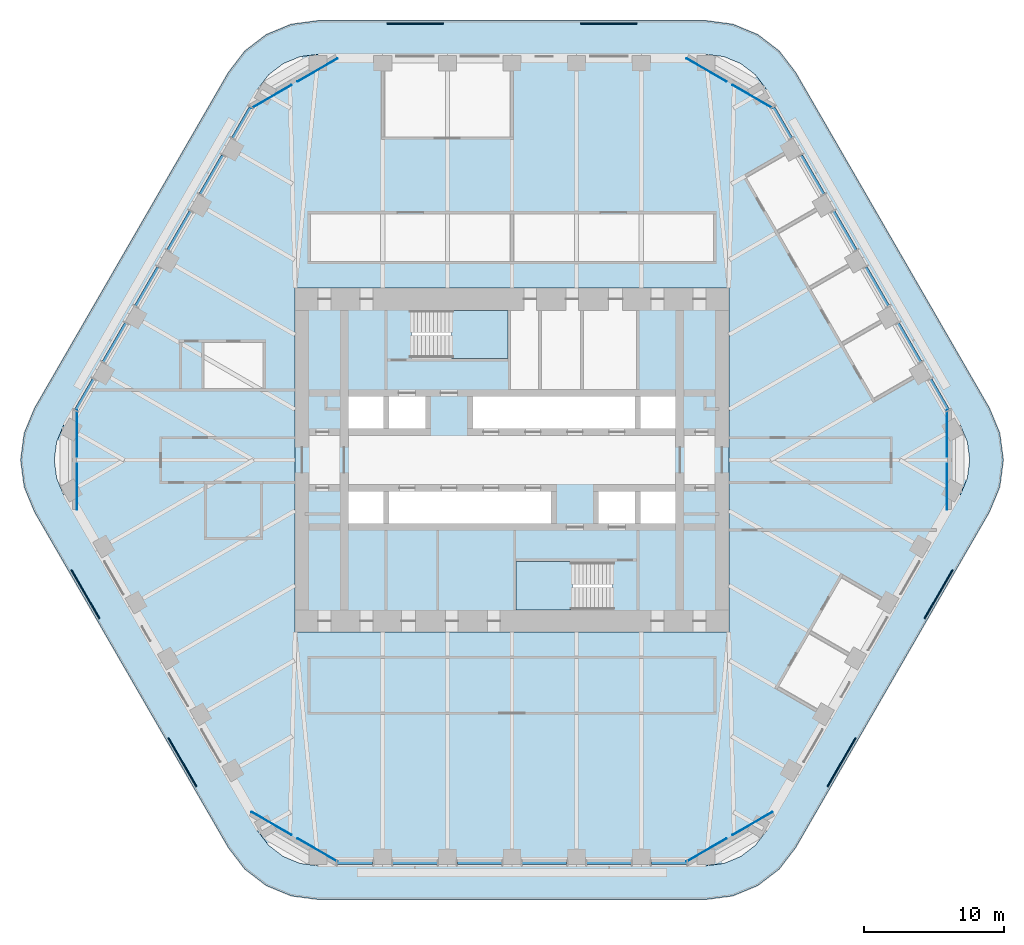
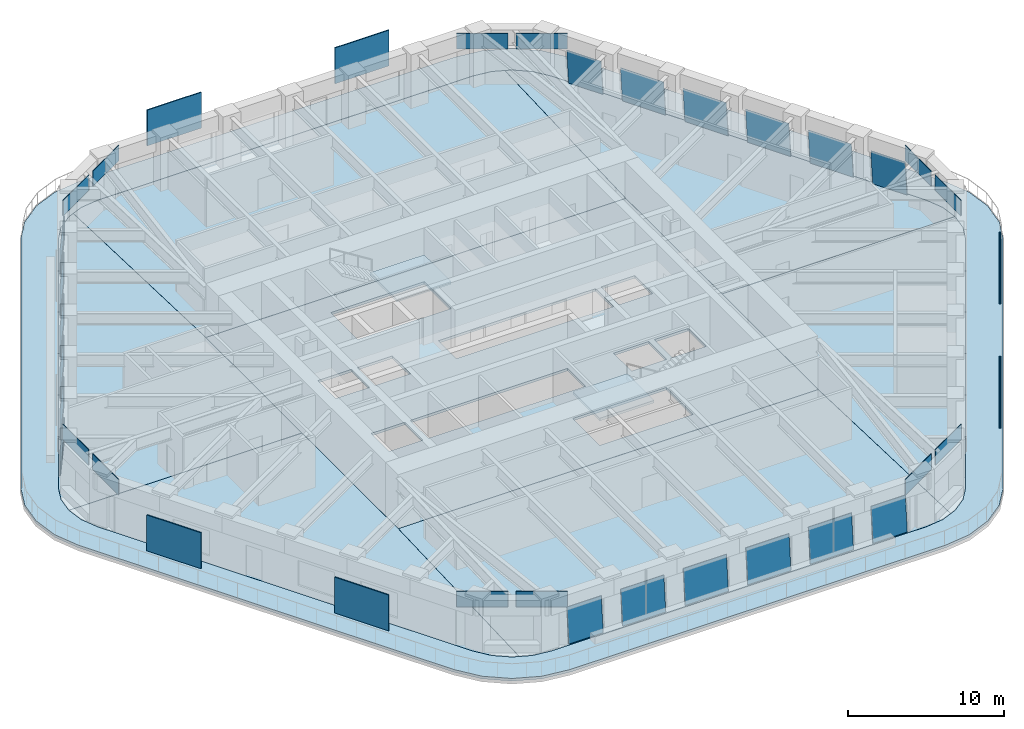
# One storey, part 13 of 20: 36 plates, 10 slabs, 20 elements without a shape of their own.
"""IFC4 building model written with IfcOpenShell, lengths in metres."""

from ifc_helpers import new_model, si_unit, direction, frame, origin, origin_2d, place, context, subcontext, project, spatial, polyline, rectangle, outline, extrude, material, layer, layer_set, type_object, element, aggregate, save


model = new_model("IFC4")

# Units and contexts
model_context = context("Model", 3, precision=1e-05, world=origin(), true_north=direction((0.0, 1.0)))
body_context = subcontext(model_context, "Body", "Model", "MODEL_VIEW")
ifc_project = project(units=[si_unit("LENGTHUNIT", "METRE"), si_unit("AREAUNIT", "SQUARE_METRE"), si_unit("VOLUMEUNIT", "CUBIC_METRE"), si_unit("PLANEANGLEUNIT", "RADIAN"), si_unit("MASSUNIT", "GRAM", prefix="KILO")], contexts=[model_context])

# Site, building, storey
site_placement = place(None, origin())
site = spatial("IfcSite", under=ifc_project, at=site_placement, CompositionType="ELEMENT")
building_placement = place(site_placement, origin())
building = spatial("IfcBuilding", under=site, at=building_placement, Name="Tarfa Lantern Tower", CompositionType="ELEMENT")
storey_placement = place(building_placement, frame((0.0, 0.0, 240.699951171875)))
storey = spatial("IfcBuildingStorey", under=building, at=storey_placement, Name="L54", CompositionType="ELEMENT", Elevation=240.699951171875)

# Slab
ifc_material_1 = material(Name="Concrete C40/50", Category="concrete")
ifc_layer_1 = layer(ifc_material_1, 0.199951171875)
ifc_layer_set_1 = layer_set([ifc_layer_1], Name="BS2 BALCONY SLAB 200")
slab_type_1 = type_object("IfcSlabType", Name="BS2 BALCONY SLAB 200", PredefinedType="FLOOR", material=ifc_layer_set_1)
slab_1_placement = place(storey_placement, frame((0.0, 0.0, -0.199951171875)))
element("IfcSlab", 1, at=slab_1_placement, inside=storey, type_object=slab_type_1, Name="Balcony L54", PredefinedType="FLOOR", context=body_context, shape_type="SweptSolid", body=[
    extrude(outline(polyline([(34.121337890625, 3.699951171875), (20.264892578125, 27.699951171875), (19.089111328125, 29.232666015625), (17.556396484375, 30.40869140625), (15.771728515625, 31.14794921875), (13.8564453125, 31.39990234375), (-13.8564453125, 31.39990234375), (-15.771728515625, 31.14794921875), (-17.556396484375, 30.40869140625), (-19.089111328125, 29.232666015625), (-20.264892578125, 27.699951171875), (-34.121337890625, 3.699951171875), (-34.860595703125, 1.915283203125), (-35.11279296875, 0.0), (-34.860595703125, -1.915283203125), (-34.121337890625, -3.699951171875), (-20.264892578125, -27.699951171875), (-19.089111328125, -29.232666015625), (-17.556396484375, -30.40869140625), (-15.771728515625, -31.14794921875), (-13.8564453125, -31.39990234375), (13.8564453125, -31.39990234375), (15.771728515625, -31.14794921875), (17.556396484375, -30.40869140625), (19.089111328125, -29.232666015625), (20.264892578125, -27.699951171875), (34.121337890625, -3.699951171875), (34.860595703125, -1.915283203125), (35.11279296875, 0.0), (34.860595703125, 1.915283203125), (34.121337890625, 3.699951171875)]), holes=[polyline([(32.04296875, 2.5), (18.1865234375, 26.5), (17.391845703125, 27.53564453125), (16.3564453125, 28.330078125), (15.150390625, 28.82958984375), (13.8564453125, 29.0), (-13.8564453125, 29.0), (-15.150390625, 28.82958984375), (-16.3564453125, 28.330078125), (-17.391845703125, 27.53564453125), (-18.1865234375, 26.5), (-32.04296875, 2.5), (-32.54248046875, 1.294189453125), (-32.712890625, 0.0), (-32.54248046875, -1.294189453125), (-32.04296875, -2.5), (-18.1865234375, -26.5), (-17.391845703125, -27.53564453125), (-16.3564453125, -28.330078125), (-15.150390625, -28.82958984375), (-13.8564453125, -29.0), (13.8564453125, -29.0), (15.150390625, -28.82958984375), (16.3564453125, -28.330078125), (17.391845703125, -27.53564453125), (18.1865234375, -26.5), (32.04296875, -2.5), (32.54248046875, -1.294189453125), (32.712890625, 0.0), (32.54248046875, 1.294189453125), (32.04296875, 2.5)])]), origin(), (0.0, 0.0, 1.0), 0.199951171875),
])

# Curtain wall, plate
ifc_material_2 = material(Name="Aluminium framed curtain wall", Category="aluminium")
curtain_wall_type = type_object("IfcCurtainWallType", Name="CW3 CANTED GLAZING HIGH ZONE 2800", PredefinedType="USERDEFINED", material=ifc_material_2)
curtain_wall_1_placement = place(storey_placement, origin())
curtain_wall_1 = element("IfcCurtainWall", 2, at=curtain_wall_1_placement, inside=storey, type_object=curtain_wall_type, Name="CW3 NE L54", ObjectType="CURTAIN WALL", PredefinedType="USERDEFINED")
ifc_material_3 = material(Name="Laminated double glazing", Category="glass")
ifc_layer_2 = layer(ifc_material_3, 0.028076171875)
ifc_layer_set_2 = layer_set([ifc_layer_2], Name="CWP1 DOUBLE GLAZED PANEL")
plate_type_1 = type_object("IfcPlateType", Name="CWP1 DOUBLE GLAZED PANEL", PredefinedType="CURTAIN_PANEL", material=ifc_layer_set_2)
plate_1_placement = place(storey_placement, frame((31.27392578125, 3.632080078125, 0.0), z_axis=(0.862597812181, 0.498009918325, 0.088944565154), x_axis=(-0.499991881386, 0.86603009101, 3.688828e-06)))
plate_1 = element("IfcPlate", 3, at=plate_1_placement, type_object=plate_type_1, Name="CW3 panel 1.1", PredefinedType="CURTAIN_PANEL", context=body_context, shape_type="SweptSolid", body=[
    extrude(outline(polyline([(0.0, 0.0), (2.5389220661234515, 0.0), (2.5389267657622057, 2.7459815404071932), (0.0001267679691709482, 2.7460003457862903), (0.0, 0.0)])), origin(), (0.0, 0.0, -1.0), 0.028076171875),
])
aggregate(curtain_wall_1, [plate_1])

curtain_wall_2_placement = place(storey_placement, origin())
curtain_wall_2 = element("IfcCurtainWall", 4, at=curtain_wall_2_placement, inside=storey, type_object=curtain_wall_type, Name="CW3 NE L54", ObjectType="CURTAIN WALL", PredefinedType="USERDEFINED")
plate_2_placement = place(storey_placement, frame((29.28955078125, 7.069091796875, 0.0), z_axis=(0.862609034743, 0.49799047926, 0.088944565584), x_axis=(-0.499972306845, 0.86604139184, 2.936936e-06)))
plate_2 = element("IfcPlate", 5, at=plate_2_placement, type_object=plate_type_1, Name="CW3 panel 1.1", PredefinedType="CURTAIN_PANEL", context=body_context, shape_type="SweptSolid", body=[
    extrude(outline(polyline([(0.0, 0.0), (3.188959804808154, 0.0), (3.188956929880909, 2.745981540409657), (0.00011918862423093281, 2.746000346125675), (0.0, 0.0)])), origin(), (0.0, 0.0, -1.0), 0.028076171875),
])
aggregate(curtain_wall_2, [plate_2])

curtain_wall_3_placement = place(storey_placement, origin())
curtain_wall_3 = element("IfcCurtainWall", 6, at=curtain_wall_3_placement, inside=storey, type_object=curtain_wall_type, Name="CW3 NE L54", ObjectType="CURTAIN WALL", PredefinedType="USERDEFINED")
plate_3_placement = place(storey_placement, frame((26.97998046875, 11.069091796875, 0.0), z_axis=(0.862609034743, 0.49799047926, 0.088944565584), x_axis=(-0.499971852573, 0.866041654094, -2.937048e-06)))
plate_3 = element("IfcPlate", 7, at=plate_3_placement, type_object=plate_type_1, Name="CW3 panel 1.1", PredefinedType="CURTAIN_PANEL", context=body_context, shape_type="SweptSolid", body=[
    extrude(outline(polyline([(0.0, 0.0), (3.1888377413121303, 0.0), (3.188940735790754, 2.746000346780822), (-1.9068961945883972e-05, 2.745981540344952), (0.0, 0.0)])), origin(), (0.0, 0.0, -1.0), 0.028076171875),
])
aggregate(curtain_wall_3, [plate_3])

curtain_wall_4_placement = place(storey_placement, origin())
curtain_wall_4 = element("IfcCurtainWall", 8, at=curtain_wall_4_placement, inside=storey, type_object=curtain_wall_type, Name="CW3 NE L54", ObjectType="CURTAIN WALL", PredefinedType="USERDEFINED")
plate_4_placement = place(storey_placement, frame((24.670654296875, 15.069091796875, 0.0), z_axis=(0.862595478395, 0.498020780534, 0.088906371022), x_axis=(-0.500000789788, 0.8660249478, 0.0)))
plate_4 = element("IfcPlate", 9, at=plate_4_placement, type_object=plate_type_1, Name="CW3 panel 1.1", PredefinedType="CURTAIN_PANEL", context=body_context, shape_type="SweptSolid", body=[
    extrude(outline(polyline([(0.0, 0.0), (3.1889598065466314, 2.7755575615628914e-17), (3.1889569281424333, 2.74598154242858), (-2.8784041983250337e-06, 2.74598154242858), (0.0, 0.0)])), origin(), (0.0, 0.0, -1.0), 0.028076171875),
])
aggregate(curtain_wall_4, [plate_4])

curtain_wall_5_placement = place(storey_placement, origin())
curtain_wall_5 = element("IfcCurtainWall", 10, at=curtain_wall_5_placement, inside=storey, type_object=curtain_wall_type, Name="CW3 NE L54", ObjectType="CURTAIN WALL", PredefinedType="USERDEFINED")
plate_5_placement = place(storey_placement, frame((22.361328125, 19.069091796875, 0.0), z_axis=(0.862609034743, 0.49799047926, 0.088944565584), x_axis=(-0.499972306845, 0.86604139184, 2.936936e-06)))
plate_5 = element("IfcPlate", 11, at=plate_5_placement, type_object=plate_type_1, Name="CW3 panel 1.1", PredefinedType="CURTAIN_PANEL", context=body_context, shape_type="SweptSolid", body=[
    extrude(outline(polyline([(0.0, 0.0), (3.188959804808154, 0.0), (3.188956929880909, 2.745981540409657), (0.00011918862423093281, 2.746000346125675), (0.0, 0.0)])), origin(), (0.0, 0.0, -1.0), 0.028076171875),
])
aggregate(curtain_wall_5, [plate_5])

curtain_wall_6_placement = place(storey_placement, origin())
curtain_wall_6 = element("IfcCurtainWall", 12, at=curtain_wall_6_placement, inside=storey, type_object=curtain_wall_type, Name="CW3 NE L54", ObjectType="CURTAIN WALL", PredefinedType="USERDEFINED")
plate_6_placement = place(storey_placement, frame((20.0517578125, 23.069091796875, 0.0), z_axis=(0.862621501949, 0.497975703823, 0.088906370847), x_axis=(-0.499955533855, 0.866051074803, 0.0)))
plate_6 = element("IfcPlate", 13, at=plate_6_placement, type_object=plate_type_1, Name="CW3 panel 1.1", PredefinedType="CURTAIN_PANEL", context=body_context, shape_type="SweptSolid", body=[
    extrude(outline(polyline([(0.0, 0.0), (2.538800000046309, -1.3877787807814457e-17), (2.538784364039763, 2.745981542385572), (-1.5636006546276837e-05, 2.745981542385572), (0.0, 0.0)])), origin(), (0.0, 0.0, -1.0), 0.028076171875),
])
aggregate(curtain_wall_6, [plate_6])

curtain_wall_7_placement = place(storey_placement, origin())
curtain_wall_7 = element("IfcCurtainWall", 14, at=curtain_wall_7_placement, inside=storey, type_object=curtain_wall_type, Name="CW3 NW L54", ObjectType="CURTAIN WALL", PredefinedType="USERDEFINED")
plate_7_placement = place(storey_placement, frame((-18.782470703125, 25.267822265625, 0.0), z_axis=(-0.862621501949, 0.497975703823, 0.088906370847), x_axis=(-0.499955533855, -0.866051074803, 0.0)))
plate_7 = element("IfcPlate", 15, at=plate_7_placement, type_object=plate_type_1, Name="CW3 panel 1.1", PredefinedType="CURTAIN_PANEL", context=body_context, shape_type="SweptSolid", body=[
    extrude(outline(polyline([(0.0, 0.0), (2.538800000046309, 1.3877787807814457e-17), (2.5388156360528553, 2.745981542385572), (1.5636006546276837e-05, 2.745981542385572), (0.0, 0.0)])), origin(), (0.0, 0.0, -1.0), 0.028076171875),
])
aggregate(curtain_wall_7, [plate_7])

curtain_wall_8_placement = place(storey_placement, origin())
curtain_wall_8 = element("IfcCurtainWall", 16, at=curtain_wall_8_placement, inside=storey, type_object=curtain_wall_type, Name="CW3 NW L54", ObjectType="CURTAIN WALL", PredefinedType="USERDEFINED")
plate_8_placement = place(storey_placement, frame((-20.766845703125, 21.830810546875, 0.0), z_axis=(-0.862609034743, 0.49799047926, 0.088944565584), x_axis=(-0.499972306845, -0.86604139184, -2.936936e-06)))
plate_8 = element("IfcPlate", 17, at=plate_8_placement, type_object=plate_type_1, Name="CW3 panel 1.1", PredefinedType="CURTAIN_PANEL", context=body_context, shape_type="SweptSolid", body=[
    extrude(outline(polyline([(0.0, 0.0), (3.188959804808154, 0.0), (3.1888406161839233, 2.746000346125675), (2.874927244868359e-06, 2.745981540409657), (0.0, 0.0)])), origin(), (0.0, 0.0, -1.0), 0.028076171875),
])
aggregate(curtain_wall_8, [plate_8])

curtain_wall_9_placement = place(storey_placement, origin())
curtain_wall_9 = element("IfcCurtainWall", 18, at=curtain_wall_9_placement, inside=storey, type_object=curtain_wall_type, Name="CW3 NW L54", ObjectType="CURTAIN WALL", PredefinedType="USERDEFINED")
plate_9_placement = place(storey_placement, frame((-23.076171875, 17.830810546875, 0.0), z_axis=(-0.862595478395, 0.498020780534, 0.088906371022), x_axis=(-0.500000789788, -0.8660249478, 0.0)))
plate_9 = element("IfcPlate", 19, at=plate_9_placement, type_object=plate_type_1, Name="CW3 panel 1.1", PredefinedType="CURTAIN_PANEL", context=body_context, shape_type="SweptSolid", body=[
    extrude(outline(polyline([(0.0, 0.0), (3.1889598065466314, -2.7755575615628914e-17), (3.1889626849508295, 2.74598154242858), (2.8784041983250337e-06, 2.74598154242858), (0.0, 0.0)])), origin(), (0.0, 0.0, -1.0), 0.028076171875),
])
aggregate(curtain_wall_9, [plate_9])

curtain_wall_10_placement = place(storey_placement, origin())
curtain_wall_10 = element("IfcCurtainWall", 20, at=curtain_wall_10_placement, inside=storey, type_object=curtain_wall_type, Name="CW3 NW L54", ObjectType="CURTAIN WALL", PredefinedType="USERDEFINED")
plate_10_placement = place(storey_placement, frame((-25.3857421875, 13.830810546875, 0.0), z_axis=(-0.862609034743, 0.49799047926, 0.088944565584), x_axis=(-0.499971852573, -0.866041654094, 2.937048e-06)))
plate_10 = element("IfcPlate", 21, at=plate_10_placement, type_object=plate_type_1, Name="CW3 panel 1.1", PredefinedType="CURTAIN_PANEL", context=body_context, shape_type="SweptSolid", body=[
    extrude(outline(polyline([(0.0, 0.0), (3.1888377413121303, 0.0), (3.1888568102740757, 2.745981540344952), (-0.00010299447862375795, 2.746000346780822), (0.0, 0.0)])), origin(), (0.0, 0.0, -1.0), 0.028076171875),
])
aggregate(curtain_wall_10, [plate_10])

curtain_wall_11_placement = place(storey_placement, origin())
curtain_wall_11 = element("IfcCurtainWall", 22, at=curtain_wall_11_placement, inside=storey, type_object=curtain_wall_type, Name="CW3 NW L54", ObjectType="CURTAIN WALL", PredefinedType="USERDEFINED")
plate_11_placement = place(storey_placement, frame((-27.695068359375, 9.830810546875, 0.0), z_axis=(-0.862609034743, 0.49799047926, 0.088944565584), x_axis=(-0.499972306845, -0.86604139184, -2.936936e-06)))
plate_11 = element("IfcPlate", 23, at=plate_11_placement, type_object=plate_type_1, Name="CW3 panel 1.1", PredefinedType="CURTAIN_PANEL", context=body_context, shape_type="SweptSolid", body=[
    extrude(outline(polyline([(0.0, 0.0), (3.188959804808154, 0.0), (3.1888406161839233, 2.746000346125675), (2.874927244868359e-06, 2.745981540409657), (0.0, 0.0)])), origin(), (0.0, 0.0, -1.0), 0.028076171875),
])
aggregate(curtain_wall_11, [plate_11])

curtain_wall_12_placement = place(storey_placement, origin())
curtain_wall_12 = element("IfcCurtainWall", 24, at=curtain_wall_12_placement, inside=storey, type_object=curtain_wall_type, Name="CW3 NW L54", ObjectType="CURTAIN WALL", PredefinedType="USERDEFINED")
plate_12_placement = place(storey_placement, frame((-30.00439453125, 5.830810546875, 0.0), z_axis=(-0.862597812181, 0.498009918325, 0.088944565154), x_axis=(-0.499991881386, -0.86603009101, -3.688828e-06)))
plate_12 = element("IfcPlate", 25, at=plate_12_placement, type_object=plate_type_1, Name="CW3 panel 1.1", PredefinedType="CURTAIN_PANEL", context=body_context, shape_type="SweptSolid", body=[
    extrude(outline(polyline([(0.0, 0.0), (2.5389220661234515, 0.0), (2.538795298154281, 2.7460003457862903), (-4.6996387543900236e-06, 2.7459815404071932), (0.0, 0.0)])), origin(), (0.0, 0.0, -1.0), 0.028076171875),
])
aggregate(curtain_wall_12, [plate_12])

curtain_wall_13_placement = place(storey_placement, origin())
curtain_wall_13 = element("IfcCurtainWall", 26, at=curtain_wall_13_placement, inside=storey, type_object=curtain_wall_type, Name="CW3 S L54", ObjectType="CURTAIN WALL", PredefinedType="USERDEFINED")
plate_13_placement = place(storey_placement, frame((-12.491455078125, -28.89990234375, 0.0), z_axis=(0.0, -0.996039814532, 0.088908311571), x_axis=(1.0, 0.0, 0.0)))
plate_13 = element("IfcPlate", 27, at=plate_13_placement, type_object=plate_type_1, Name="CW3 panel 1.1", PredefinedType="CURTAIN_PANEL", context=body_context, shape_type="SweptSolid", body=[
    extrude(outline(polyline([(0.0, 0.0), (2.538818359375, 0.0), (2.538818359375, 2.745982019965007), (0.0, 2.745982019965007), (0.0, 0.0)])), origin(), (0.0, 0.0, -1.0), 0.028076171875),
])
aggregate(curtain_wall_13, [plate_13])

curtain_wall_14_placement = place(storey_placement, origin())
curtain_wall_14 = element("IfcCurtainWall", 28, at=curtain_wall_14_placement, inside=storey, type_object=curtain_wall_type, Name="CW3 S L54", ObjectType="CURTAIN WALL", PredefinedType="USERDEFINED")
plate_14_placement = place(storey_placement, frame((-8.522705078125, -28.89990234375, 0.0), z_axis=(0.0, -0.996039814532, 0.088908311571), x_axis=(1.0, 0.0, 0.0)))
plate_14 = element("IfcPlate", 29, at=plate_14_placement, type_object=plate_type_1, Name="CW3 panel 1.1", PredefinedType="CURTAIN_PANEL", context=body_context, shape_type="SweptSolid", body=[
    extrude(outline(polyline([(0.0, 0.0), (3.18896484375, 0.0), (3.18896484375, 2.745982019965007), (0.0, 2.745982019965007), (0.0, 0.0)])), origin(), (0.0, 0.0, -1.0), 0.028076171875),
])
aggregate(curtain_wall_14, [plate_14])

curtain_wall_15_placement = place(storey_placement, origin())
curtain_wall_15 = element("IfcCurtainWall", 30, at=curtain_wall_15_placement, inside=storey, type_object=curtain_wall_type, Name="CW3 S L54", ObjectType="CURTAIN WALL", PredefinedType="USERDEFINED")
plate_15_placement = place(storey_placement, frame((-3.90380859375, -28.89990234375, 0.0), z_axis=(0.0, -0.996039814532, 0.088908311571), x_axis=(1.0, 0.0, 0.0)))
plate_15 = element("IfcPlate", 31, at=plate_15_placement, type_object=plate_type_1, Name="CW3 panel 1.1", PredefinedType="CURTAIN_PANEL", context=body_context, shape_type="SweptSolid", body=[
    extrude(outline(polyline([(0.0, 0.0), (3.188720703125, 0.0), (3.188720703125, 2.745982019965007), (0.0, 2.745982019965007), (0.0, 0.0)])), origin(), (0.0, 0.0, -1.0), 0.028076171875),
])
aggregate(curtain_wall_15, [plate_15])

curtain_wall_16_placement = place(storey_placement, origin())
curtain_wall_16 = element("IfcCurtainWall", 32, at=curtain_wall_16_placement, inside=storey, type_object=curtain_wall_type, Name="CW3 S L54", ObjectType="CURTAIN WALL", PredefinedType="USERDEFINED")
plate_16_placement = place(storey_placement, frame((0.715087890625, -28.89990234375, 0.0), z_axis=(0.0, -0.996039814532, 0.088908311571), x_axis=(1.0, 0.0, 0.0)))
plate_16 = element("IfcPlate", 33, at=plate_16_placement, type_object=plate_type_1, Name="CW3 panel 1.1", PredefinedType="CURTAIN_PANEL", context=body_context, shape_type="SweptSolid", body=[
    extrude(outline(polyline([(0.0, 0.0), (3.188720703125, 0.0), (3.188720703125, 2.745982019965007), (0.0, 2.745982019965007), (0.0, 0.0)])), origin(), (0.0, 0.0, -1.0), 0.028076171875),
])
aggregate(curtain_wall_16, [plate_16])

curtain_wall_17_placement = place(storey_placement, origin())
curtain_wall_17 = element("IfcCurtainWall", 34, at=curtain_wall_17_placement, inside=storey, type_object=curtain_wall_type, Name="CW3 S L54", ObjectType="CURTAIN WALL", PredefinedType="USERDEFINED")
plate_17_placement = place(storey_placement, frame((5.333740234375, -28.89990234375, 0.0), z_axis=(0.0, -0.996039814532, 0.088908311571), x_axis=(1.0, 0.0, 0.0)))
plate_17 = element("IfcPlate", 35, at=plate_17_placement, type_object=plate_type_1, Name="CW3 panel 1.1", PredefinedType="CURTAIN_PANEL", context=body_context, shape_type="SweptSolid", body=[
    extrude(outline(polyline([(0.0, 0.0), (3.18896484375, 0.0), (3.18896484375, 2.745982019965007), (0.0, 2.745982019965007), (0.0, 0.0)])), origin(), (0.0, 0.0, -1.0), 0.028076171875),
])
aggregate(curtain_wall_17, [plate_17])

curtain_wall_18_placement = place(storey_placement, origin())
curtain_wall_18 = element("IfcCurtainWall", 36, at=curtain_wall_18_placement, inside=storey, type_object=curtain_wall_type, Name="CW3 S L54", ObjectType="CURTAIN WALL", PredefinedType="USERDEFINED")
plate_18_placement = place(storey_placement, frame((9.95263671875, -28.89990234375, 0.0), z_axis=(0.0, -0.996039814532, 0.088908311571), x_axis=(1.0, 0.0, 0.0)))
plate_18 = element("IfcPlate", 37, at=plate_18_placement, type_object=plate_type_1, Name="CW3 panel 1.1", PredefinedType="CURTAIN_PANEL", context=body_context, shape_type="SweptSolid", body=[
    extrude(outline(polyline([(0.0, 0.0), (2.538818359375, 0.0), (2.538818359375, 2.745982019965007), (0.0, 2.745982019965007), (0.0, 0.0)])), origin(), (0.0, 0.0, -1.0), 0.028076171875),
])
aggregate(curtain_wall_18, [plate_18])

# Slabs
ifc_layer_3 = layer(ifc_material_1, 0.199951171875)
ifc_layer_set_3 = layer_set([ifc_layer_3], Name="FS1 FLOOR SLAB 200")
slab_type_2 = type_object("IfcSlabType", Name="FS1 FLOOR SLAB 200", PredefinedType="FLOOR", material=ifc_layer_set_3)
slab_2_placement = place(storey_placement, frame((0.0, 0.0, -0.199951171875)))
element("IfcSlab", 38, at=slab_2_placement, inside=storey, type_object=slab_type_2, Name="Floor slab L54", PredefinedType="FLOOR", context=body_context, shape_type="SweptSolid", body=[
    extrude(outline(polyline([(-15.5, -12.300048828125), (15.5, -12.300048828125), (15.5, 12.300048828125), (-15.5, 12.300048828125), (-15.5, -12.300048828125)]), holes=[polyline([(-11.699951171875, 2.25), (-9.199951171875, 2.25), (-9.199951171875, 4.550048828125), (-11.699951171875, 4.550048828125), (-11.699951171875, 2.25)]), polyline([(-8.800048828125, 2.25), (-6.199951171875, 2.25), (-6.199951171875, 4.550048828125), (-8.800048828125, 4.550048828125), (-8.800048828125, 2.25)]), polyline([(-2.800048828125, 2.25), (8.800048828125, 2.25), (8.800048828125, 4.550048828125), (-2.800048828125, 4.550048828125), (-2.800048828125, 2.25)]), polyline([(9.199951171875, 2.25), (11.699951171875, 2.25), (11.699951171875, 4.550048828125), (9.199951171875, 4.550048828125), (9.199951171875, 2.25)]), polyline([(11.699951171875, -2.25), (9.199951171875, -2.25), (9.199951171875, -4.550048828125), (11.699951171875, -4.550048828125), (11.699951171875, -2.25)]), polyline([(8.800048828125, -2.25), (6.199951171875, -2.25), (6.199951171875, -4.550048828125), (8.800048828125, -4.550048828125), (8.800048828125, -2.25)]), polyline([(2.800048828125, -2.25), (-8.800048828125, -2.25), (-8.800048828125, -4.550048828125), (2.800048828125, -4.550048828125), (2.800048828125, -2.25)]), polyline([(-9.199951171875, -2.25), (-11.699951171875, -2.25), (-11.699951171875, -4.550048828125), (-9.199951171875, -4.550048828125), (-9.199951171875, -2.25)]), polyline([(-7.199951171875, 7.25), (-0.300048828125, 7.25), (-0.300048828125, 10.699951171875), (-7.199951171875, 10.699951171875), (-7.199951171875, 7.25)]), polyline([(7.199951171875, -7.25), (0.300048828125, -7.25), (0.300048828125, -10.699951171875), (7.199951171875, -10.699951171875), (7.199951171875, -7.25)])]), origin(), (0.0, 0.0, 1.0), 0.199951171875),
])
slab_3_placement = place(storey_placement, frame((0.0, 0.0, -0.199951171875)))
element("IfcSlab", 39, at=slab_3_placement, inside=storey, type_object=slab_type_2, Name="Floor slab L54 NE bay", PredefinedType="FLOOR", context=body_context, shape_type="SweptSolid", body=[
    extrude(outline(polyline([(32.041259765625, 2.4990234375), (18.184814453125, 26.498779296875), (17.390625, 27.5341796875), (16.35546875, 28.328369140625), (15.927490234375, 28.505615234375), (15.501953125, 12.300048828125), (15.501953125, 0.001953125), (32.71044921875, 0.001953125), (32.54052734375, 1.29345703125), (32.041259765625, 2.4990234375)])), origin(), (0.0, 0.0, 1.0), 0.199951171875),
])
slab_4_placement = place(storey_placement, frame((0.0, 0.0, -0.199951171875)))
element("IfcSlab", 40, at=slab_4_placement, inside=storey, type_object=slab_type_2, Name="Floor slab L54 N bay", PredefinedType="FLOOR", context=body_context, shape_type="SweptSolid", body=[
    extrude(outline(polyline([(-15.498046875, 12.302001953125), (15.498046875, 12.302001953125), (15.923583984375, 28.50732421875), (15.14990234375, 28.82763671875), (13.856201171875, 28.998046875), (-13.856201171875, 28.998046875), (-15.14990234375, 28.82763671875), (-15.923583984375, 28.50732421875), (-15.498046875, 12.302001953125)])), origin(), (0.0, 0.0, 1.0), 0.199951171875),
])
slab_5_placement = place(storey_placement, frame((0.0, 0.0, -0.199951171875)))
element("IfcSlab", 41, at=slab_5_placement, inside=storey, type_object=slab_type_2, Name="Floor slab L54 NW bay", PredefinedType="FLOOR", context=body_context, shape_type="SweptSolid", body=[
    extrude(outline(polyline([(-15.501953125, 0.001953125), (-15.501953125, 12.300048828125), (-15.927490234375, 28.505615234375), (-16.35546875, 28.328369140625), (-17.390625, 27.5341796875), (-18.184814453125, 26.498779296875), (-32.041259765625, 2.4990234375), (-32.54052734375, 1.29345703125), (-32.71044921875, 0.001953125), (-15.501953125, 0.001953125)])), origin(), (0.0, 0.0, 1.0), 0.199951171875),
])
slab_6_placement = place(storey_placement, frame((0.0, 0.0, -0.199951171875)))
element("IfcSlab", 42, at=slab_6_placement, inside=storey, type_object=slab_type_2, Name="Floor slab L54 SW bay", PredefinedType="FLOOR", context=body_context, shape_type="SweptSolid", body=[
    extrude(outline(polyline([(-15.501953125, -12.300048828125), (-15.501953125, -0.001953125), (-32.71044921875, -0.001953125), (-32.54052734375, -1.29345703125), (-32.041259765625, -2.4990234375), (-18.184814453125, -26.498779296875), (-17.390625, -27.5341796875), (-16.35546875, -28.328369140625), (-15.927490234375, -28.505615234375), (-15.501953125, -12.300048828125)])), origin(), (0.0, 0.0, 1.0), 0.199951171875),
])
slab_7_placement = place(storey_placement, frame((0.0, 0.0, -0.199951171875)))
element("IfcSlab", 43, at=slab_7_placement, inside=storey, type_object=slab_type_2, Name="Floor slab L54 S bay", PredefinedType="FLOOR", context=body_context, shape_type="SweptSolid", body=[
    extrude(outline(polyline([(15.498046875, -12.302001953125), (-15.498046875, -12.302001953125), (-15.923583984375, -28.50732421875), (-15.14990234375, -28.82763671875), (-13.856201171875, -28.998046875), (13.856201171875, -28.998046875), (15.14990234375, -28.82763671875), (15.923583984375, -28.50732421875), (15.498046875, -12.302001953125)])), origin(), (0.0, 0.0, 1.0), 0.199951171875),
])
slab_8_placement = place(storey_placement, frame((0.0, 0.0, -0.199951171875)))
element("IfcSlab", 44, at=slab_8_placement, inside=storey, type_object=slab_type_2, Name="Floor slab L54 SE bay", PredefinedType="FLOOR", context=body_context, shape_type="SweptSolid", body=[
    extrude(outline(polyline([(15.501953125, -0.001953125), (15.501953125, -12.300048828125), (15.927490234375, -28.505615234375), (16.35546875, -28.328369140625), (17.390625, -27.5341796875), (18.184814453125, -26.498779296875), (32.041259765625, -2.4990234375), (32.54052734375, -1.29345703125), (32.71044921875, -0.001953125), (15.501953125, -0.001953125)])), origin(), (0.0, 0.0, 1.0), 0.199951171875),
])

# Plates
ifc_material_4 = material(Name="Aluminium fascia panel", Category="aluminium")
ifc_layer_4 = layer(ifc_material_4, 0.050048828125)
ifc_layer_set_4 = layer_set([ifc_layer_4], Name="LF1 LOGGIA HEAD FASCIA 50")
plate_type_2 = type_object("IfcPlateType", Name="LF1 LOGGIA HEAD FASCIA 50", PredefinedType="USERDEFINED", material=ifc_layer_set_4)
for number, where, z_axis, x_axis, name in (
    (45, (17.18994140625, 25.972900390625, 2.80029296875), (0.0, 0.0, 1.0), (-0.866025403784, 0.5, 0.0), "Garden head fascia NE-N"),
    (46, (13.898193359375, 27.873291015625, 2.80029296875), (0.0, 0.0, 1.0), (-0.866025403784, 0.5, 0.0), "Garden head fascia NE-N"),
    (47, (-13.898193359375, 27.873291015625, 2.80029296875), (0.0, 0.0, 1.0), (-0.866025403784, -0.5, 0.0), "Garden head fascia N-NW"),
    (48, (-17.18994140625, 25.972900390625, 2.80029296875), (0.0, 0.0, 1.0), (-0.866025403784, -0.5, 0.0), "Garden head fascia N-NW"),
    (49, (-31.088134765625, 1.900390625, 2.80029296875), (0.0, 0.0, 1.0), (0.0, -1.0, 0.0), "Garden head fascia NW-SW"),
    (50, (-31.088134765625, -1.900390625, 2.80029296875), (0.0, 0.0, 1.0), (0.0, -1.0, 0.0), "Garden head fascia NW-SW"),
    (51, (-17.18994140625, -25.972900390625, 2.80029296875), (0.0, 0.0, 1.0), (0.866025403784, -0.5, 0.0), "Garden head fascia SW-S"),
    (52, (-13.898193359375, -27.873291015625, 2.80029296875), (0.0, 0.0, 1.0), (0.866025403784, -0.5, 0.0), "Garden head fascia SW-S"),
    (53, (13.898193359375, -27.873291015625, 2.80029296875), (0.0, 0.0, 1.0), (0.866025403784, 0.5, 0.0), "Garden head fascia S-SE"),
    (54, (17.18994140625, -25.972900390625, 2.80029296875), (0.0, 0.0, 1.0), (0.866025403784, 0.5, 0.0), "Garden head fascia S-SE"),
    (55, (31.088134765625, -1.900390625, 2.80029296875), (0.0, 0.0, 1.0), (0.0, 1.0, 0.0), "Garden head fascia SE-NE"),
    (56, (31.088134765625, 1.900390625, 2.80029296875), (0.0, 0.0, 1.0), (0.0, 1.0, 0.0), "Garden head fascia SE-NE"),
):
    element("IfcPlate", number, at=place(storey_placement, frame(where, z_axis=z_axis, x_axis=x_axis)), inside=storey, type_object=plate_type_2, Name=name, ObjectType="FASCIA", PredefinedType="USERDEFINED", context=body_context, shape_type="SweptSolid", body=[
        extrude(rectangle(XDim=3.30078125, YDim=0.050048828125, at=origin_2d()), origin(), (0.0, 0.0, 1.0), 1.199951171875),
    ])
ifc_material_5 = material(Name="Perforated limestone screen", Category="masonry")
ifc_layer_5 = layer(ifc_material_5, 0.080078125)
ifc_layer_set_5 = layer_set([ifc_layer_5], Name="SC1 STONE SCREEN 80")
plate_type_3 = type_object("IfcPlateType", Name="SC1 STONE SCREEN 80", PredefinedType="USERDEFINED", material=ifc_layer_set_5)
for number, where, z_axis, x_axis, name in (
    (57, (6.92822265625, 31.199951171875, 1.2001953125), (0.0, 0.0, 1.0), (-1.0, 0.0, 0.0), "Stone screen N 1"),
    (58, (-6.92822265625, 31.199951171875, 1.2001953125), (0.0, 0.0, 1.0), (-1.0, 0.0, 0.0), "Stone screen N 2"),
    (59, (-30.484130859375, -9.60009765625, 1.2001953125), (0.0, 0.0, 1.0), (0.5, -0.866025403784, 0.0), "Stone screen SW 1"),
    (60, (-23.555908203125, -21.60009765625, 1.2001953125), (0.0, 0.0, 1.0), (0.5, -0.866025403784, 0.0), "Stone screen SW 2"),
    (61, (23.555908203125, -21.60009765625, 1.2001953125), (0.0, 0.0, 1.0), (0.5, 0.866025403784, 0.0), "Stone screen SE 1"),
    (62, (30.484130859375, -9.60009765625, 1.2001953125), (0.0, 0.0, 1.0), (0.5, 0.866025403784, 0.0), "Stone screen SE 2"),
):
    element("IfcPlate", number, at=place(storey_placement, frame(where, z_axis=z_axis, x_axis=x_axis)), inside=storey, type_object=plate_type_3, Name=name, ObjectType="SCREEN", PredefinedType="USERDEFINED", context=body_context, shape_type="SweptSolid", body=[
        extrude(rectangle(XDim=4.0, YDim=0.080078125, at=origin_2d()), origin(), (0.0, 0.0, 1.0), 2.800048828125),
    ])

# Stair, slab
stair_type = type_object("IfcStairType", Name="ST-T10 HALF-TURN STAIR 4200 RISE", PredefinedType="HALF_TURN_STAIR", material=ifc_material_1)
stair_1_placement = place(storey_placement, origin())
stair_1 = element("IfcStair", 63, at=stair_1_placement, inside=storey, type_object=stair_type, Name="Stair ST1", PredefinedType="HALF_TURN_STAIR")
ifc_layer_6 = layer(ifc_material_1, 0.199951171875)
ifc_layer_set_6 = layer_set([ifc_layer_6], Name="SL1 STAIR LANDING 200")
slab_type_3 = type_object("IfcSlabType", Name="SL1 STAIR LANDING 200", PredefinedType="LANDING", material=ifc_layer_set_6)
slab_9_placement = place(storey_placement, frame((0.0, 0.0, 1.900146484375)))
slab_9 = element("IfcSlab", 64, at=slab_9_placement, type_object=slab_type_3, Name="ST1 landing 1", PredefinedType="LANDING", context=body_context, shape_type="SweptSolid", body=[
    extrude(outline(polyline([(-4.320068359375, 7.25), (-0.300048828125, 7.25), (-0.300048828125, 10.699951171875), (-4.320068359375, 10.699951171875), (-4.320068359375, 7.25)])), origin(), (0.0, 0.0, 1.0), 0.199951171875),
])
aggregate(stair_1, [slab_9])

stair_2_placement = place(storey_placement, origin())
stair_2 = element("IfcStair", 65, at=stair_2_placement, inside=storey, type_object=stair_type, Name="Stair ST2", PredefinedType="HALF_TURN_STAIR")
slab_10_placement = place(storey_placement, frame((0.0, 0.0, 1.900146484375)))
slab_10 = element("IfcSlab", 66, at=slab_10_placement, type_object=slab_type_3, Name="ST2 landing 1", PredefinedType="LANDING", context=body_context, shape_type="SweptSolid", body=[
    extrude(outline(polyline([(4.320068359375, -7.25), (0.300048828125, -7.25), (0.300048828125, -10.699951171875), (4.320068359375, -10.699951171875), (4.320068359375, -7.25)])), origin(), (0.0, 0.0, 1.0), 0.199951171875),
])
aggregate(stair_2, [slab_10])

save(model, "model.ifc")
